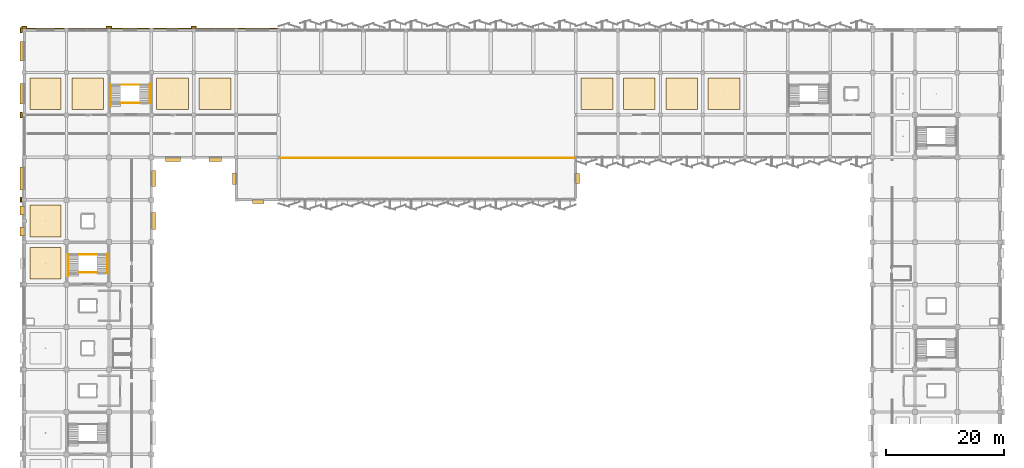
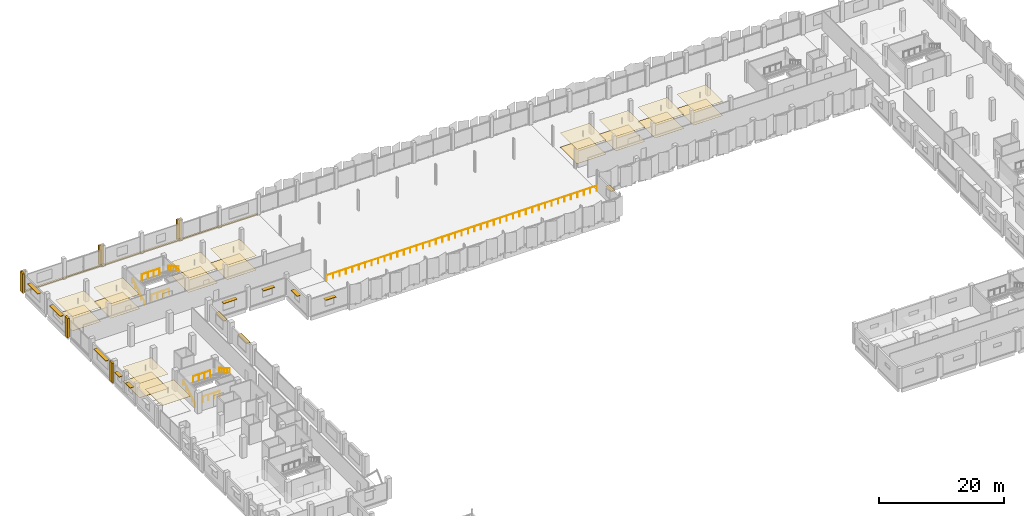
# One storey, part 105 of 107: 26 coverings, 12 shading devices, 9 railings.
"""IFC4 building model written with IfcOpenShell, lengths in metres."""

from ifc_helpers import new_model, si_unit, direction, frame, origin, origin_2d, place, context, subcontext, project, spatial, polyline, rectangle, circle, outline, extrude, material, layer, layer_set, type_object, element, save


model = new_model("IFC4")

# Units and contexts
model_context = context("Model", 3, precision=1e-05, world=origin(), true_north=direction((0.0, 1.0)))
body_context = subcontext(model_context, "Body", "Model", "MODEL_VIEW")
ifc_project = project(units=[si_unit("LENGTHUNIT", "METRE"), si_unit("AREAUNIT", "SQUARE_METRE"), si_unit("VOLUMEUNIT", "CUBIC_METRE"), si_unit("PLANEANGLEUNIT", "RADIAN"), si_unit("MASSUNIT", "GRAM", prefix="KILO")], contexts=[model_context])

# Site, building, storey
site_placement = place(None, origin())
site = spatial("IfcSite", under=ifc_project, at=site_placement, CompositionType="ELEMENT")
building_placement = place(site_placement, origin())
building = spatial("IfcBuilding", under=site, at=building_placement, Name="Kangsadwip Square Police Headquarters", CompositionType="ELEMENT")
storey_placement = place(building_placement, frame((0.0, 0.0, 5.39990234375)))
storey = spatial("IfcBuildingStorey", under=building, at=storey_placement, Name="L01", CompositionType="ELEMENT", Elevation=5.39990234375)

# Railings
ifc_material_1 = material(Name="Structural steel IS 2062 E250 (Grade 250, 250 MPa)", Category="steel")
railing_type_1 = type_object("IfcRailingType", Name="BalustradeGuard1100", PredefinedType="BALUSTRADE", material=ifc_material_1)
for number, where, name in (
    (1, (9.22998046875, 74.0400390625, 0.0), "Stair Guard ST-02 L01-43"),
    (2, (9.22998046875, 77.1201171875, 2.106201171875), "Stair Guard ST-02 L01-44"),
):
    element("IfcRailing", number, at=place(storey_placement, frame(where)), inside=storey, type_object=railing_type_1, Name=name, PredefinedType="BALUSTRADE", context=body_context, shape_type="SweptSolid", body=[
        extrude(circle(Radius=0.02392578125, at=origin_2d()), frame((0.0, 0.0, 1.09619140625), z_axis=(1.0, 0.0, 0.0), x_axis=(0.0, 1.0, 0.0)), (0.0, 0.0, 1.0), 3.14013671875),
        extrude(circle(Radius=0.02099609375, at=origin_2d()), origin(), (0.0, 0.0, 1.0), 1.072021484375),
        extrude(circle(Radius=0.02099609375, at=origin_2d()), frame((1.046630859375, 0.0, 0.0)), (0.0, 0.0, 1.0), 1.072021484375),
        extrude(circle(Radius=0.02099609375, at=origin_2d()), frame((2.093505859375, 0.0, 0.0)), (0.0, 0.0, 1.0), 1.072021484375),
        extrude(circle(Radius=0.02099609375, at=origin_2d()), frame((3.14013671875, 0.0, 0.0)), (0.0, 0.0, 1.0), 1.072021484375),
    ])
for number, where, name in (
    (3, (16.3798828125, 102.840087890625, 0.0), "Stair Guard ST-07 L01-166"),
    (4, (16.3798828125, 105.919921875, 2.106201171875), "Stair Guard ST-07 L01-167"),
):
    element("IfcRailing", number, at=place(storey_placement, frame(where)), inside=storey, type_object=railing_type_1, Name=name, PredefinedType="BALUSTRADE", context=body_context, shape_type="SweptSolid", body=[
        extrude(circle(Radius=0.02392578125, at=origin_2d()), frame((0.0, 0.0, 1.09619140625), z_axis=(1.0, 0.0, 0.0), x_axis=(0.0, 1.0, 0.0)), (0.0, 0.0, 1.0), 3.240234375),
        extrude(circle(Radius=0.02099609375, at=origin_2d()), origin(), (0.0, 0.0, 1.0), 1.072021484375),
        extrude(circle(Radius=0.02099609375, at=origin_2d()), frame((1.080078125, 0.0, 0.0)), (0.0, 0.0, 1.0), 1.072021484375),
        extrude(circle(Radius=0.02099609375, at=origin_2d()), frame((2.16015625, 0.0, 0.0)), (0.0, 0.0, 1.0), 1.072021484375),
        extrude(circle(Radius=0.02099609375, at=origin_2d()), frame((3.240234375, 0.0, 0.0)), (0.0, 0.0, 1.0), 1.072021484375),
    ])
railing_1_placement = place(storey_placement, frame((43.39990234375, 93.47998046875, 0.0)))
element("IfcRailing", 5, at=railing_1_placement, inside=storey, type_object=railing_type_1, Name="Atrium Gallery Balustrade GR-GAL-VOL1", PredefinedType="BALUSTRADE", context=body_context, shape_type="SweptSolid", body=[
    extrude(circle(Radius=0.02392578125, at=origin_2d()), frame((0.0, 0.0, 1.09619140625), z_axis=(1.0, 0.0, 0.0), x_axis=(0.0, 1.0, 0.0)), (0.0, 0.0, 1.0), 50.0),
    extrude(circle(Radius=0.02099609375, at=origin_2d()), origin(), (0.0, 0.0, 1.0), 1.072021484375),
    extrude(circle(Radius=0.02099609375, at=origin_2d()), frame((1.1904296875, 0.0, 0.0)), (0.0, 0.0, 1.0), 1.072021484375),
    extrude(circle(Radius=0.02099609375, at=origin_2d()), frame((2.380859375, 0.0, 0.0)), (0.0, 0.0, 1.0), 1.072021484375),
    extrude(circle(Radius=0.02099609375, at=origin_2d()), frame((3.571533203125, 0.0, 0.0)), (0.0, 0.0, 1.0), 1.072021484375),
    extrude(circle(Radius=0.02099609375, at=origin_2d()), frame((4.761962890625, 0.0, 0.0)), (0.0, 0.0, 1.0), 1.072021484375),
    extrude(circle(Radius=0.02099609375, at=origin_2d()), frame((5.952392578125, 0.0, 0.0)), (0.0, 0.0, 1.0), 1.072021484375),
    extrude(circle(Radius=0.02099609375, at=origin_2d()), frame((7.142822265625, 0.0, 0.0)), (0.0, 0.0, 1.0), 1.072021484375),
    extrude(circle(Radius=0.02099609375, at=origin_2d()), frame((8.333251953125, 0.0, 0.0)), (0.0, 0.0, 1.0), 1.072021484375),
    extrude(circle(Radius=0.02099609375, at=origin_2d()), frame((9.52392578125, 0.0, 0.0)), (0.0, 0.0, 1.0), 1.072021484375),
    extrude(circle(Radius=0.02099609375, at=origin_2d()), frame((10.71435546875, 0.0, 0.0)), (0.0, 0.0, 1.0), 1.072021484375),
    extrude(circle(Radius=0.02099609375, at=origin_2d()), frame((11.90478515625, 0.0, 0.0)), (0.0, 0.0, 1.0), 1.072021484375),
    extrude(circle(Radius=0.02099609375, at=origin_2d()), frame((13.09521484375, 0.0, 0.0)), (0.0, 0.0, 1.0), 1.072021484375),
    extrude(circle(Radius=0.02099609375, at=origin_2d()), frame((14.28564453125, 0.0, 0.0)), (0.0, 0.0, 1.0), 1.072021484375),
    extrude(circle(Radius=0.02099609375, at=origin_2d()), frame((15.47607421875, 0.0, 0.0)), (0.0, 0.0, 1.0), 1.072021484375),
    extrude(circle(Radius=0.02099609375, at=origin_2d()), frame((16.666748046875, 0.0, 0.0)), (0.0, 0.0, 1.0), 1.072021484375),
    extrude(circle(Radius=0.02099609375, at=origin_2d()), frame((17.857177734375, 0.0, 0.0)), (0.0, 0.0, 1.0), 1.072021484375),
    extrude(circle(Radius=0.02099609375, at=origin_2d()), frame((19.047607421875, 0.0, 0.0)), (0.0, 0.0, 1.0), 1.072021484375),
    extrude(circle(Radius=0.02099609375, at=origin_2d()), frame((20.238037109375, 0.0, 0.0)), (0.0, 0.0, 1.0), 1.072021484375),
    extrude(circle(Radius=0.02099609375, at=origin_2d()), frame((21.428466796875, 0.0, 0.0)), (0.0, 0.0, 1.0), 1.072021484375),
    extrude(circle(Radius=0.02099609375, at=origin_2d()), frame((22.619140625, 0.0, 0.0)), (0.0, 0.0, 1.0), 1.072021484375),
    extrude(circle(Radius=0.02099609375, at=origin_2d()), frame((23.8095703125, 0.0, 0.0)), (0.0, 0.0, 1.0), 1.072021484375),
    extrude(circle(Radius=0.02099609375, at=origin_2d()), frame((25.0, 0.0, 0.0)), (0.0, 0.0, 1.0), 1.072021484375),
    extrude(circle(Radius=0.02099609375, at=origin_2d()), frame((26.1904296875, 0.0, 0.0)), (0.0, 0.0, 1.0), 1.072021484375),
    extrude(circle(Radius=0.02099609375, at=origin_2d()), frame((27.380859375, 0.0, 0.0)), (0.0, 0.0, 1.0), 1.072021484375),
    extrude(circle(Radius=0.02099609375, at=origin_2d()), frame((28.571533203125, 0.0, 0.0)), (0.0, 0.0, 1.0), 1.072021484375),
    extrude(circle(Radius=0.02099609375, at=origin_2d()), frame((29.761962890625, 0.0, 0.0)), (0.0, 0.0, 1.0), 1.072021484375),
    extrude(circle(Radius=0.02099609375, at=origin_2d()), frame((30.952392578125, 0.0, 0.0)), (0.0, 0.0, 1.0), 1.072021484375),
    extrude(circle(Radius=0.02099609375, at=origin_2d()), frame((32.142822265625, 0.0, 0.0)), (0.0, 0.0, 1.0), 1.072021484375),
    extrude(circle(Radius=0.02099609375, at=origin_2d()), frame((33.333251953125, 0.0, 0.0)), (0.0, 0.0, 1.0), 1.072021484375),
    extrude(circle(Radius=0.02099609375, at=origin_2d()), frame((34.52392578125, 0.0, 0.0)), (0.0, 0.0, 1.0), 1.072021484375),
    extrude(circle(Radius=0.02099609375, at=origin_2d()), frame((35.71435546875, 0.0, 0.0)), (0.0, 0.0, 1.0), 1.072021484375),
    extrude(circle(Radius=0.02099609375, at=origin_2d()), frame((36.90478515625, 0.0, 0.0)), (0.0, 0.0, 1.0), 1.072021484375),
    extrude(circle(Radius=0.02099609375, at=origin_2d()), frame((38.09521484375, 0.0, 0.0)), (0.0, 0.0, 1.0), 1.072021484375),
    extrude(circle(Radius=0.02099609375, at=origin_2d()), frame((39.28564453125, 0.0, 0.0)), (0.0, 0.0, 1.0), 1.072021484375),
    extrude(circle(Radius=0.02099609375, at=origin_2d()), frame((40.47607421875, 0.0, 0.0)), (0.0, 0.0, 1.0), 1.072021484375),
    extrude(circle(Radius=0.02099609375, at=origin_2d()), frame((41.666748046875, 0.0, 0.0)), (0.0, 0.0, 1.0), 1.072021484375),
    extrude(circle(Radius=0.02099609375, at=origin_2d()), frame((42.857177734375, 0.0, 0.0)), (0.0, 0.0, 1.0), 1.072021484375),
    extrude(circle(Radius=0.02099609375, at=origin_2d()), frame((44.047607421875, 0.0, 0.0)), (0.0, 0.0, 1.0), 1.072021484375),
    extrude(circle(Radius=0.02099609375, at=origin_2d()), frame((45.238037109375, 0.0, 0.0)), (0.0, 0.0, 1.0), 1.072021484375),
    extrude(circle(Radius=0.02099609375, at=origin_2d()), frame((46.428466796875, 0.0, 0.0)), (0.0, 0.0, 1.0), 1.072021484375),
    extrude(circle(Radius=0.02099609375, at=origin_2d()), frame((47.619140625, 0.0, 0.0)), (0.0, 0.0, 1.0), 1.072021484375),
    extrude(circle(Radius=0.02099609375, at=origin_2d()), frame((48.8095703125, 0.0, 0.0)), (0.0, 0.0, 1.0), 1.072021484375),
    extrude(circle(Radius=0.02099609375, at=origin_2d()), frame((50.0, 0.0, 0.0)), (0.0, 0.0, 1.0), 1.072021484375),
])

# Coverings
ifc_material_2 = material(Name="Seamless anti-static epoxy and polished Kota stone interior flooring", Category="masonry")
ifc_layer_1 = layer(ifc_material_2, 0.02001953125)
ifc_layer_set_1 = layer_set([ifc_layer_1], Name="Seamless anti-static epoxy and polished Kota stone interior flooring")
covering_type_1 = type_object("IfcCoveringType", Name="InteriorStoneEpoxyFloor", PredefinedType="FLOORING", material=ifc_layer_set_1)
covering_1_placement = place(storey_placement, origin())
element("IfcCovering", 6, at=covering_1_placement, inside=storey, type_object=covering_type_1, Name="Interior Floor Finish L01-047", PredefinedType="FLOORING", context=body_context, shape_type="SweptSolid", body=[
    extrude(outline(polyline([(1.0, 101.699951171875), (6.300048828125, 101.699951171875), (6.300048828125, 107.10009765625), (1.0, 107.10009765625), (1.0, 101.699951171875)])), origin(), (0.0, 0.0, 1.0), 0.02001953125),
])
covering_2_placement = place(storey_placement, origin())
element("IfcCovering", 7, at=covering_2_placement, inside=storey, type_object=covering_type_1, Name="Interior Floor Finish L01-048", PredefinedType="FLOORING", context=body_context, shape_type="SweptSolid", body=[
    extrude(outline(polyline([(8.10009765625, 101.699951171875), (13.5, 101.699951171875), (13.5, 107.10009765625), (8.10009765625, 107.10009765625), (8.10009765625, 101.699951171875)])), origin(), (0.0, 0.0, 1.0), 0.02001953125),
])
covering_3_placement = place(storey_placement, origin())
element("IfcCovering", 8, at=covering_3_placement, inside=storey, type_object=covering_type_1, Name="Interior Floor Finish L01-049", PredefinedType="FLOORING", context=body_context, shape_type="SweptSolid", body=[
    extrude(outline(polyline([(22.5, 101.699951171875), (27.89990234375, 101.699951171875), (27.89990234375, 107.10009765625), (22.5, 107.10009765625), (22.5, 101.699951171875)])), origin(), (0.0, 0.0, 1.0), 0.02001953125),
])
covering_4_placement = place(storey_placement, origin())
element("IfcCovering", 9, at=covering_4_placement, inside=storey, type_object=covering_type_1, Name="Interior Floor Finish L01-050", PredefinedType="FLOORING", context=body_context, shape_type="SweptSolid", body=[
    extrude(outline(polyline([(29.699951171875, 101.699951171875), (35.10009765625, 101.699951171875), (35.10009765625, 107.10009765625), (29.699951171875, 107.10009765625), (29.699951171875, 101.699951171875)])), origin(), (0.0, 0.0, 1.0), 0.02001953125),
])
covering_5_placement = place(storey_placement, origin())
element("IfcCovering", 10, at=covering_5_placement, inside=storey, type_object=covering_type_1, Name="Interior Floor Finish L01-051", PredefinedType="FLOORING", context=body_context, shape_type="SweptSolid", body=[
    extrude(outline(polyline([(94.5, 101.699951171875), (99.89990234375, 101.699951171875), (99.89990234375, 107.10009765625), (94.5, 107.10009765625), (94.5, 101.699951171875)])), origin(), (0.0, 0.0, 1.0), 0.02001953125),
])
covering_6_placement = place(storey_placement, origin())
element("IfcCovering", 11, at=covering_6_placement, inside=storey, type_object=covering_type_1, Name="Interior Floor Finish L01-052", PredefinedType="FLOORING", context=body_context, shape_type="SweptSolid", body=[
    extrude(outline(polyline([(101.699951171875, 101.699951171875), (107.10009765625, 101.699951171875), (107.10009765625, 107.10009765625), (101.699951171875, 107.10009765625), (101.699951171875, 101.699951171875)])), origin(), (0.0, 0.0, 1.0), 0.02001953125),
])
covering_7_placement = place(storey_placement, origin())
element("IfcCovering", 12, at=covering_7_placement, inside=storey, type_object=covering_type_1, Name="Interior Floor Finish L01-053", PredefinedType="FLOORING", context=body_context, shape_type="SweptSolid", body=[
    extrude(outline(polyline([(108.89990234375, 101.699951171875), (114.300048828125, 101.699951171875), (114.300048828125, 107.10009765625), (108.89990234375, 107.10009765625), (108.89990234375, 101.699951171875)])), origin(), (0.0, 0.0, 1.0), 0.02001953125),
])
covering_8_placement = place(storey_placement, origin())
element("IfcCovering", 13, at=covering_8_placement, inside=storey, type_object=covering_type_1, Name="Interior Floor Finish L01-054", PredefinedType="FLOORING", context=body_context, shape_type="SweptSolid", body=[
    extrude(outline(polyline([(116.10009765625, 101.699951171875), (121.5, 101.699951171875), (121.5, 107.10009765625), (116.10009765625, 107.10009765625), (116.10009765625, 101.699951171875)])), origin(), (0.0, 0.0, 1.0), 0.02001953125),
])
covering_9_placement = place(storey_placement, origin())
element("IfcCovering", 14, at=covering_9_placement, inside=storey, type_object=covering_type_1, Name="Interior Floor Finish L01-063", PredefinedType="FLOORING", context=body_context, shape_type="SweptSolid", body=[
    extrude(outline(polyline([(1.0, 80.10009765625), (6.300048828125, 80.10009765625), (6.300048828125, 85.5), (1.0, 85.5), (1.0, 80.10009765625)])), origin(), (0.0, 0.0, 1.0), 0.02001953125),
])

# Railings
ifc_material_3 = material(Name="Structural steel IS 2062 E250 (Grade 250, 250 MPa)", Category="steel")
railing_type_2 = type_object("IfcRailingType", Name="StairPitchHandrail900", PredefinedType="HANDRAIL", material=ifc_material_3)
railing_2_placement = place(storey_placement, frame((7.43994140625, 73.43994140625, 0.0)))
element("IfcRailing", 15, at=railing_2_placement, inside=storey, type_object=railing_type_2, Name="Stair Handrail ST-02 L01-45", PredefinedType="HANDRAIL", context=body_context, shape_type="SweptSolid", body=[
    extrude(circle(Radius=0.02392578125, at=origin_2d()), frame((0.0, 0.0, 0.8759765625), z_axis=(0.0, 0.870200954866, 0.492696963813), x_axis=(-1.0, 0.0, 0.0)), (0.0, 0.0, 1.0), 4.27490234375),
    extrude(circle(Radius=0.02099609375, at=origin_2d()), origin(), (0.0, 0.0, 1.0), 0.851806640625),
    extrude(circle(Radius=0.02099609375, at=origin_2d()), frame((0.0, 0.929931640625, 0.526611328125)), (0.0, 0.0, 1.0), 0.851806640625),
    extrude(circle(Radius=0.02099609375, at=origin_2d()), frame((0.0, 1.85986328125, 1.05322265625)), (0.0, 0.0, 1.0), 0.851806640625),
    extrude(circle(Radius=0.02099609375, at=origin_2d()), frame((0.0, 2.7900390625, 1.57958984375)), (0.0, 0.0, 1.0), 0.851806640625),
    extrude(circle(Radius=0.02099609375, at=origin_2d()), frame((0.0, 3.719970703125, 2.106201171875)), (0.0, 0.0, 1.0), 0.851806640625),
])
railing_3_placement = place(storey_placement, frame((14.159912109375, 77.260009765625, 2.106201171875)))
element("IfcRailing", 16, at=railing_3_placement, inside=storey, type_object=railing_type_2, Name="Stair Handrail ST-02 L01-46", PredefinedType="HANDRAIL", context=body_context, shape_type="SweptSolid", body=[
    extrude(circle(Radius=0.02392578125, at=origin_2d()), frame((0.0, 0.0, 0.8759765625), z_axis=(0.0, -0.860276971572, 0.509826962981), x_axis=(1.0, 0.0, 0.0)), (0.0, 0.0, 1.0), 3.812744140625),
    extrude(circle(Radius=0.02099609375, at=origin_2d()), origin(), (0.0, 0.0, 1.0), 0.851806640625),
    extrude(circle(Radius=0.02099609375, at=origin_2d()), frame((0.0, -0.820068359375, 0.48583984375)), (0.0, 0.0, 1.0), 0.851806640625),
    extrude(circle(Radius=0.02099609375, at=origin_2d()), frame((0.0, -1.64013671875, 0.971923828125)), (0.0, 0.0, 1.0), 0.851806640625),
    extrude(circle(Radius=0.02099609375, at=origin_2d()), frame((0.0, -2.4599609375, 1.4580078125)), (0.0, 0.0, 1.0), 0.851806640625),
    extrude(circle(Radius=0.02099609375, at=origin_2d()), frame((0.0, -3.280029296875, 1.94384765625)), (0.0, 0.0, 1.0), 0.851806640625),
])
railing_4_placement = place(storey_placement, frame((14.639892578125, 102.239990234375, 0.0)))
element("IfcRailing", 17, at=railing_4_placement, inside=storey, type_object=railing_type_2, Name="Stair Handrail ST-07 L01-168", PredefinedType="HANDRAIL", context=body_context, shape_type="SweptSolid", body=[
    extrude(circle(Radius=0.02392578125, at=origin_2d()), frame((0.0, 0.0, 0.8759765625), z_axis=(0.0, 0.870200954866, 0.492696963813), x_axis=(-1.0, 0.0, 0.0)), (0.0, 0.0, 1.0), 4.27490234375),
    extrude(circle(Radius=0.02099609375, at=origin_2d()), origin(), (0.0, 0.0, 1.0), 0.851806640625),
    extrude(circle(Radius=0.02099609375, at=origin_2d()), frame((0.0, 0.929931640625, 0.526611328125)), (0.0, 0.0, 1.0), 0.851806640625),
    extrude(circle(Radius=0.02099609375, at=origin_2d()), frame((0.0, 1.85986328125, 1.05322265625)), (0.0, 0.0, 1.0), 0.851806640625),
    extrude(circle(Radius=0.02099609375, at=origin_2d()), frame((0.0, 2.7900390625, 1.57958984375)), (0.0, 0.0, 1.0), 0.851806640625),
    extrude(circle(Radius=0.02099609375, at=origin_2d()), frame((0.0, 3.719970703125, 2.106201171875)), (0.0, 0.0, 1.0), 0.851806640625),
])
railing_5_placement = place(storey_placement, frame((21.360107421875, 106.06005859375, 2.106201171875)))
element("IfcRailing", 18, at=railing_5_placement, inside=storey, type_object=railing_type_2, Name="Stair Handrail ST-07 L01-169", PredefinedType="HANDRAIL", context=body_context, shape_type="SweptSolid", body=[
    extrude(circle(Radius=0.02392578125, at=origin_2d()), frame((0.0, 0.0, 0.8759765625), z_axis=(0.0, -0.860276971572, 0.509826962981), x_axis=(1.0, 0.0, 0.0)), (0.0, 0.0, 1.0), 3.812744140625),
    extrude(circle(Radius=0.02099609375, at=origin_2d()), origin(), (0.0, 0.0, 1.0), 0.851806640625),
    extrude(circle(Radius=0.02099609375, at=origin_2d()), frame((0.0, -0.820068359375, 0.48583984375)), (0.0, 0.0, 1.0), 0.851806640625),
    extrude(circle(Radius=0.02099609375, at=origin_2d()), frame((0.0, -1.64013671875, 0.971923828125)), (0.0, 0.0, 1.0), 0.851806640625),
    extrude(circle(Radius=0.02099609375, at=origin_2d()), frame((0.0, -2.4599609375, 1.4580078125)), (0.0, 0.0, 1.0), 0.851806640625),
    extrude(circle(Radius=0.02099609375, at=origin_2d()), frame((0.0, -3.280029296875, 1.94384765625)), (0.0, 0.0, 1.0), 0.851806640625),
])

# Coverings
ifc_material_4 = material(Name="Perforated mineral-fibre and acoustic baffle suspended ceiling", Category="wood")
ifc_layer_2 = layer(ifc_material_4, 0.02490234375)
ifc_layer_set_2 = layer_set([ifc_layer_2], Name="Perforated mineral-fibre and acoustic baffle suspended ceiling")
covering_type_2 = type_object("IfcCoveringType", Name="SuspendedAcousticCeiling", PredefinedType="CEILING", material=ifc_layer_set_2)
covering_10_placement = place(storey_placement, frame((0.0, 0.0, 2.800048828125)))
element("IfcCovering", 19, at=covering_10_placement, inside=storey, type_object=covering_type_2, Name="Suspended Acoustic Ceiling L01-047", PredefinedType="CEILING", context=body_context, shape_type="SweptSolid", body=[
    extrude(outline(polyline([(1.0, 101.699951171875), (6.300048828125, 101.699951171875), (6.300048828125, 107.10009765625), (1.0, 107.10009765625), (1.0, 101.699951171875)])), origin(), (0.0, 0.0, 1.0), 0.025146484375),
])
covering_11_placement = place(storey_placement, frame((0.0, 0.0, 2.800048828125)))
element("IfcCovering", 20, at=covering_11_placement, inside=storey, type_object=covering_type_2, Name="Suspended Acoustic Ceiling L01-048", PredefinedType="CEILING", context=body_context, shape_type="SweptSolid", body=[
    extrude(outline(polyline([(8.10009765625, 101.699951171875), (13.5, 101.699951171875), (13.5, 107.10009765625), (8.10009765625, 107.10009765625), (8.10009765625, 101.699951171875)])), origin(), (0.0, 0.0, 1.0), 0.025146484375),
])
covering_12_placement = place(storey_placement, frame((0.0, 0.0, 2.800048828125)))
element("IfcCovering", 21, at=covering_12_placement, inside=storey, type_object=covering_type_2, Name="Suspended Acoustic Ceiling L01-049", PredefinedType="CEILING", context=body_context, shape_type="SweptSolid", body=[
    extrude(outline(polyline([(22.5, 101.699951171875), (27.89990234375, 101.699951171875), (27.89990234375, 107.10009765625), (22.5, 107.10009765625), (22.5, 101.699951171875)])), origin(), (0.0, 0.0, 1.0), 0.025146484375),
])
covering_13_placement = place(storey_placement, frame((0.0, 0.0, 2.800048828125)))
element("IfcCovering", 22, at=covering_13_placement, inside=storey, type_object=covering_type_2, Name="Suspended Acoustic Ceiling L01-050", PredefinedType="CEILING", context=body_context, shape_type="SweptSolid", body=[
    extrude(outline(polyline([(29.699951171875, 101.699951171875), (35.10009765625, 101.699951171875), (35.10009765625, 107.10009765625), (29.699951171875, 107.10009765625), (29.699951171875, 101.699951171875)])), origin(), (0.0, 0.0, 1.0), 0.025146484375),
])
covering_14_placement = place(storey_placement, frame((0.0, 0.0, 2.800048828125)))
element("IfcCovering", 23, at=covering_14_placement, inside=storey, type_object=covering_type_2, Name="Suspended Acoustic Ceiling L01-051", PredefinedType="CEILING", context=body_context, shape_type="SweptSolid", body=[
    extrude(outline(polyline([(94.5, 101.699951171875), (99.89990234375, 101.699951171875), (99.89990234375, 107.10009765625), (94.5, 107.10009765625), (94.5, 101.699951171875)])), origin(), (0.0, 0.0, 1.0), 0.025146484375),
])
covering_15_placement = place(storey_placement, frame((0.0, 0.0, 2.800048828125)))
element("IfcCovering", 24, at=covering_15_placement, inside=storey, type_object=covering_type_2, Name="Suspended Acoustic Ceiling L01-052", PredefinedType="CEILING", context=body_context, shape_type="SweptSolid", body=[
    extrude(outline(polyline([(101.699951171875, 101.699951171875), (107.10009765625, 101.699951171875), (107.10009765625, 107.10009765625), (101.699951171875, 107.10009765625), (101.699951171875, 101.699951171875)])), origin(), (0.0, 0.0, 1.0), 0.025146484375),
])
covering_16_placement = place(storey_placement, frame((0.0, 0.0, 2.800048828125)))
element("IfcCovering", 25, at=covering_16_placement, inside=storey, type_object=covering_type_2, Name="Suspended Acoustic Ceiling L01-053", PredefinedType="CEILING", context=body_context, shape_type="SweptSolid", body=[
    extrude(outline(polyline([(108.89990234375, 101.699951171875), (114.300048828125, 101.699951171875), (114.300048828125, 107.10009765625), (108.89990234375, 107.10009765625), (108.89990234375, 101.699951171875)])), origin(), (0.0, 0.0, 1.0), 0.025146484375),
])
covering_17_placement = place(storey_placement, frame((0.0, 0.0, 2.800048828125)))
element("IfcCovering", 26, at=covering_17_placement, inside=storey, type_object=covering_type_2, Name="Suspended Acoustic Ceiling L01-054", PredefinedType="CEILING", context=body_context, shape_type="SweptSolid", body=[
    extrude(outline(polyline([(116.10009765625, 101.699951171875), (121.5, 101.699951171875), (121.5, 107.10009765625), (116.10009765625, 107.10009765625), (116.10009765625, 101.699951171875)])), origin(), (0.0, 0.0, 1.0), 0.025146484375),
])
covering_18_placement = place(storey_placement, frame((0.0, 0.0, 2.800048828125)))
element("IfcCovering", 27, at=covering_18_placement, inside=storey, type_object=covering_type_2, Name="Suspended Acoustic Ceiling L01-062", PredefinedType="CEILING", context=body_context, shape_type="SweptSolid", body=[
    extrude(outline(polyline([(1.0, 72.949951171875), (6.300048828125, 72.949951171875), (6.300048828125, 78.300048828125), (1.0, 78.300048828125), (1.0, 72.949951171875)])), origin(), (0.0, 0.0, 1.0), 0.025146484375),
])
covering_19_placement = place(storey_placement, frame((0.0, 0.0, 2.800048828125)))
element("IfcCovering", 28, at=covering_19_placement, inside=storey, type_object=covering_type_2, Name="Suspended Acoustic Ceiling L01-063", PredefinedType="CEILING", context=body_context, shape_type="SweptSolid", body=[
    extrude(outline(polyline([(1.0, 80.10009765625), (6.300048828125, 80.10009765625), (6.300048828125, 85.5), (1.0, 85.5), (1.0, 80.10009765625)])), origin(), (0.0, 0.0, 1.0), 0.025146484375),
])
ifc_material_5 = material(Name="Glazed architectural terracotta masonry rainscreen", Category="masonry")
ifc_layer_3 = layer(ifc_material_5, 0.034912109375)
ifc_layer_set_3 = layer_set([ifc_layer_3], Name="Glazed architectural terracotta masonry rainscreen")
covering_type_3 = type_object("IfcCoveringType", Name="TerracottaPierCladding", PredefinedType="CLADDING", material=ifc_layer_set_3)
covering_20_placement = place(storey_placement, origin())
element("IfcCovering", 29, at=covering_20_placement, inside=storey, type_object=covering_type_3, Name="Terracotta Pier Cladding L01-036", PredefinedType="CLADDING", context=body_context, shape_type="SweptSolid", body=[
    extrude(outline(polyline([(-0.699951171875, 85.9599609375), (-0.3798828125, 85.9599609375), (-0.3798828125, 86.840087890625), (-0.699951171875, 86.840087890625), (-0.699951171875, 85.9599609375)])), origin(), (0.0, 0.0, 1.0), 3.800048828125),
])
covering_21_placement = place(storey_placement, origin())
element("IfcCovering", 30, at=covering_21_placement, inside=storey, type_object=covering_type_3, Name="Terracotta Pier Cladding L01-037", PredefinedType="CLADDING", context=body_context, shape_type="SweptSolid", body=[
    extrude(outline(polyline([(-0.625, 100.360107421875), (-0.304931640625, 100.360107421875), (-0.304931640625, 101.239990234375), (-0.625, 101.239990234375), (-0.625, 100.360107421875)])), origin(), (0.0, 0.0, 1.0), 3.800048828125),
])
covering_22_placement = place(storey_placement, origin())
element("IfcCovering", 31, at=covering_22_placement, inside=storey, type_object=covering_type_3, Name="Terracotta Pier Cladding L01-038", PredefinedType="CLADDING", context=body_context, shape_type="SweptSolid", body=[
    extrude(outline(polyline([(-0.625, 114.760009765625), (-0.304931640625, 114.760009765625), (-0.304931640625, 115.639892578125), (-0.625, 115.639892578125), (-0.625, 114.760009765625)])), origin(), (0.0, 0.0, 1.0), 3.800048828125),
])
covering_23_placement = place(storey_placement, origin())
element("IfcCovering", 32, at=covering_23_placement, inside=storey, type_object=covering_type_3, Name="Terracotta Pier Cladding L01-046", PredefinedType="CLADDING", context=body_context, shape_type="SweptSolid", body=[
    extrude(outline(polyline([(-0.43994140625, 115.5048828125), (0.43994140625, 115.5048828125), (0.43994140625, 115.824951171875), (-0.43994140625, 115.824951171875), (-0.43994140625, 115.5048828125)])), origin(), (0.0, 0.0, 1.0), 3.800048828125),
])
covering_24_placement = place(storey_placement, origin())
element("IfcCovering", 33, at=covering_24_placement, inside=storey, type_object=covering_type_3, Name="Terracotta Pier Cladding L01-047", PredefinedType="CLADDING", context=body_context, shape_type="SweptSolid", body=[
    extrude(outline(polyline([(13.9599609375, 115.5048828125), (14.840087890625, 115.5048828125), (14.840087890625, 115.824951171875), (13.9599609375, 115.824951171875), (13.9599609375, 115.5048828125)])), origin(), (0.0, 0.0, 1.0), 3.800048828125),
])
covering_25_placement = place(storey_placement, origin())
element("IfcCovering", 34, at=covering_25_placement, inside=storey, type_object=covering_type_3, Name="Terracotta Pier Cladding L01-048", PredefinedType="CLADDING", context=body_context, shape_type="SweptSolid", body=[
    extrude(outline(polyline([(28.360107421875, 115.5048828125), (29.239990234375, 115.5048828125), (29.239990234375, 115.824951171875), (28.360107421875, 115.824951171875), (28.360107421875, 115.5048828125)])), origin(), (0.0, 0.0, 1.0), 3.800048828125),
])
covering_26_placement = place(storey_placement, frame((0.0, 0.0, -0.239990234375)))
element("IfcCovering", 35, at=covering_26_placement, inside=storey, type_object=covering_type_3, Name="Terracotta Cornice Belt L01-160", PredefinedType="CLADDING", context=body_context, shape_type="SweptSolid", body=[
    extrude(outline(polyline([(0.0, 115.179931640625), (43.199951171875, 115.179931640625), (43.199951171875, 115.5), (0.0, 115.5), (0.0, 115.179931640625)])), origin(), (0.0, 0.0, 1.0), 0.260009765625),
])

# Shading devices
ifc_material_6 = material(Name="Architectural terracotta and anodised aluminium AW-6061-T6", Category="aluminium")
shading_device_type = type_object("IfcShadingDeviceType", Name="TerracottaChhajjaAwning", PredefinedType="AWNING", material=ifc_material_6)
shading_device_1_placement = place(storey_placement, frame((39.717529296875, 86.10009765625, 2.4150390625), z_axis=(0.0, 0.0, 1.0), x_axis=(1.0, 0.0, 0.0)))
element("IfcShadingDevice", 36, at=shading_device_1_placement, inside=storey, type_object=shading_device_type, Name="Terracotta Chhajja Hood CHJ-L01-0054", PredefinedType="AWNING", context=body_context, shape_type="SweptSolid", body=[
    extrude(rectangle(XDim=1.949951171875, YDim=0.719970703125, at=origin_2d()), origin(), (0.0, 0.0, 1.0), 0.090087890625),
])
shading_device_2_placement = place(storey_placement, frame((25.25, 93.300048828125, 2.56494140625), z_axis=(0.0, 0.0, 1.0), x_axis=(1.0, 0.0, 0.0)))
element("IfcShadingDevice", 37, at=shading_device_2_placement, inside=storey, type_object=shading_device_type, Name="Terracotta Chhajja Hood CHJ-L01-0055", PredefinedType="AWNING", context=body_context, shape_type="SweptSolid", body=[
    extrude(rectangle(XDim=2.5, YDim=0.719970703125, at=origin_2d()), origin(), (0.0, 0.0, 1.0), 0.090087890625),
])
shading_device_3_placement = place(storey_placement, frame((32.41259765625, 93.300048828125, 2.46484375), z_axis=(0.0, 0.0, 1.0), x_axis=(1.0, 0.0, 0.0)))
element("IfcShadingDevice", 38, at=shading_device_3_placement, inside=storey, type_object=shading_device_type, Name="Terracotta Chhajja Hood CHJ-L01-0056", PredefinedType="AWNING", context=body_context, shape_type="SweptSolid", body=[
    extrude(rectangle(XDim=2.10009765625, YDim=0.719970703125, at=origin_2d()), origin(), (0.0, 0.0, 1.0), 0.090087890625),
])
for number, where, z_axis, x_axis, name in (
    (39, (-0.300048828125, 81.03759765625, 2.365234375), (0.0, 0.0, 1.0), (0.0, 1.0, 0.0), "Terracotta Chhajja Hood CHJ-L01-0068"),
    (40, (-0.300048828125, 84.5625, 2.365234375), (0.0, 0.0, 1.0), (0.0, 1.0, 0.0), "Terracotta Chhajja Hood CHJ-L01-0069"),
):
    element("IfcShadingDevice", number, at=place(storey_placement, frame(where, z_axis=z_axis, x_axis=x_axis)), inside=storey, type_object=shading_device_type, Name=name, PredefinedType="AWNING", context=body_context, shape_type="SweptSolid", body=[
        extrude(rectangle(XDim=1.550048828125, YDim=0.719970703125, at=origin_2d()), origin(), (0.0, 0.0, 1.0), 0.090087890625),
    ])
shading_device_4_placement = place(storey_placement, frame((-0.300048828125, 90.0, 2.9150390625), z_axis=(0.0, 0.0, 1.0), x_axis=(0.0, 1.0, 0.0)))
element("IfcShadingDevice", 41, at=shading_device_4_placement, inside=storey, type_object=shading_device_type, Name="Terracotta Chhajja Hood CHJ-L01-0070", PredefinedType="AWNING", context=body_context, shape_type="SweptSolid", body=[
    extrude(rectangle(XDim=3.89990234375, YDim=0.719970703125, at=origin_2d()), origin(), (0.0, 0.0, 1.0), 0.090087890625),
])
shading_device_5_placement = place(storey_placement, frame((-0.300048828125, 104.39990234375, 2.81494140625), z_axis=(0.0, 0.0, 1.0), x_axis=(0.0, 1.0, 0.0)))
element("IfcShadingDevice", 42, at=shading_device_5_placement, inside=storey, type_object=shading_device_type, Name="Terracotta Chhajja Hood CHJ-L01-0071", PredefinedType="AWNING", context=body_context, shape_type="SweptSolid", body=[
    extrude(rectangle(XDim=3.5, YDim=0.719970703125, at=origin_2d()), origin(), (0.0, 0.0, 1.0), 0.090087890625),
])
shading_device_6_placement = place(storey_placement, frame((-0.300048828125, 111.60009765625, 2.76513671875), z_axis=(0.0, 0.0, 1.0), x_axis=(0.0, 1.0, 0.0)))
element("IfcShadingDevice", 43, at=shading_device_6_placement, inside=storey, type_object=shading_device_type, Name="Terracotta Chhajja Hood CHJ-L01-0072", PredefinedType="AWNING", context=body_context, shape_type="SweptSolid", body=[
    extrude(rectangle(XDim=3.300048828125, YDim=0.719970703125, at=origin_2d()), origin(), (0.0, 0.0, 1.0), 0.090087890625),
])
shading_device_7_placement = place(storey_placement, frame((21.89990234375, 82.800048828125, 2.6650390625), z_axis=(0.0, 0.0, 1.0), x_axis=(0.0, 1.0, 0.0)))
element("IfcShadingDevice", 44, at=shading_device_7_placement, inside=storey, type_object=shading_device_type, Name="Terracotta Chhajja Hood CHJ-L01-0078", PredefinedType="AWNING", context=body_context, shape_type="SweptSolid", body=[
    extrude(rectangle(XDim=2.89990234375, YDim=0.719970703125, at=origin_2d()), origin(), (0.0, 0.0, 1.0), 0.090087890625),
])
shading_device_8_placement = place(storey_placement, frame((21.89990234375, 90.0, 2.615234375), z_axis=(0.0, 0.0, 1.0), x_axis=(0.0, 1.0, 0.0)))
element("IfcShadingDevice", 45, at=shading_device_8_placement, inside=storey, type_object=shading_device_type, Name="Terracotta Chhajja Hood CHJ-L01-0079", PredefinedType="AWNING", context=body_context, shape_type="SweptSolid", body=[
    extrude(rectangle(XDim=2.699951171875, YDim=0.719970703125, at=origin_2d()), origin(), (0.0, 0.0, 1.0), 0.090087890625),
])
shading_device_9_placement = place(storey_placement, frame((35.699951171875, 89.97509765625, 2.4150390625), z_axis=(0.0, 0.0, 1.0), x_axis=(0.0, 1.0, 0.0)))
element("IfcShadingDevice", 46, at=shading_device_9_placement, inside=storey, type_object=shading_device_type, Name="Terracotta Chhajja Hood CHJ-L01-0082", PredefinedType="AWNING", context=body_context, shape_type="SweptSolid", body=[
    extrude(rectangle(XDim=1.949951171875, YDim=0.719970703125, at=origin_2d()), origin(), (0.0, 0.0, 1.0), 0.090087890625),
])
shading_device_10_placement = place(storey_placement, frame((93.89990234375, 90.0, 2.46484375), z_axis=(0.0, 0.0, 1.0), x_axis=(0.0, 1.0, 0.0)))
element("IfcShadingDevice", 47, at=shading_device_10_placement, inside=storey, type_object=shading_device_type, Name="Terracotta Chhajja Hood CHJ-L01-0083", PredefinedType="AWNING", context=body_context, shape_type="SweptSolid", body=[
    extrude(rectangle(XDim=1.699951171875, YDim=0.719970703125, at=origin_2d()), origin(), (0.0, 0.0, 1.0), 0.090087890625),
])

save(model, "model.ifc")
